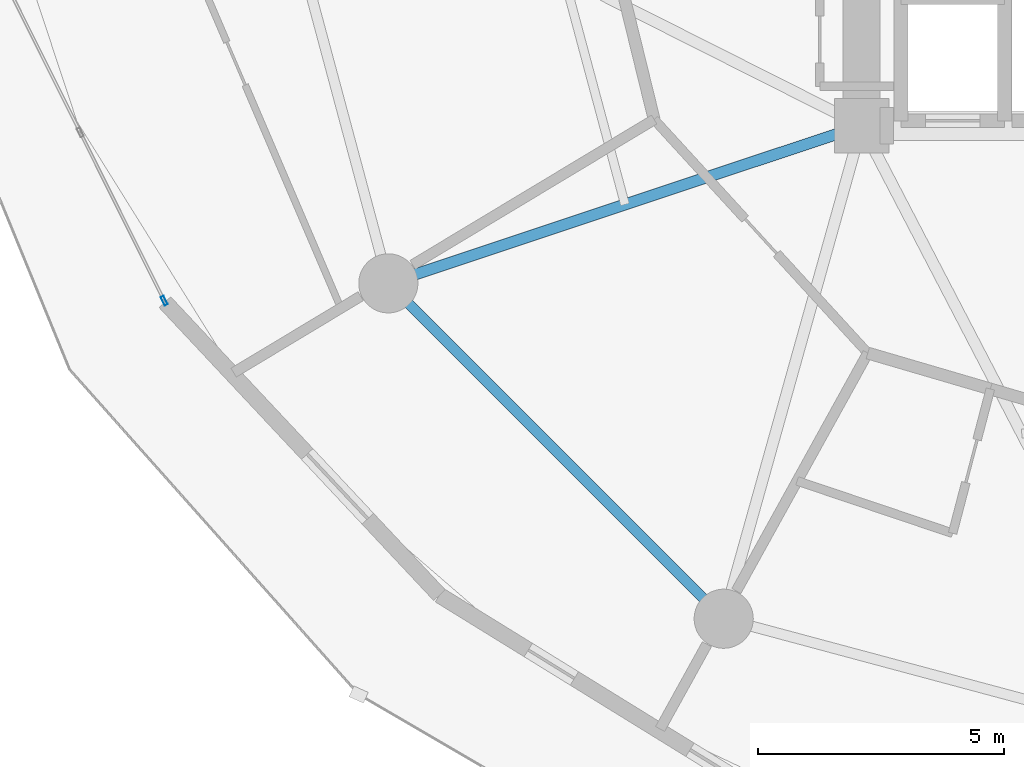
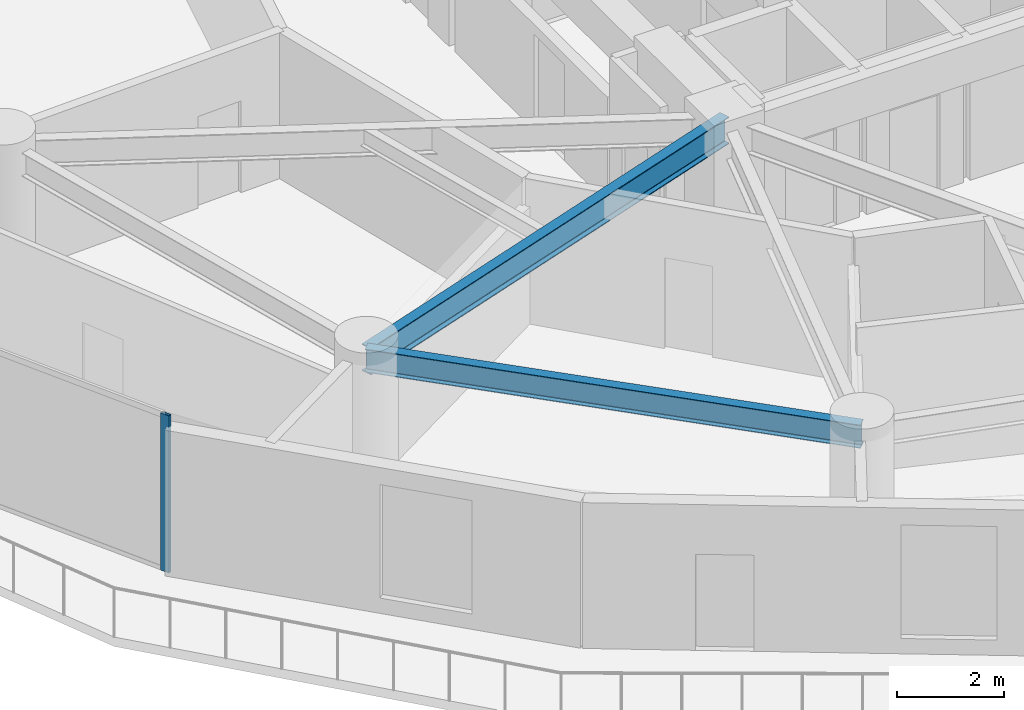
# One storey, part 2 of 24: 2 beams, 1 member, 1 element without a shape of its own.
"""IFC4 building model written with IfcOpenShell, lengths in metres."""

from ifc_helpers import new_model, si_unit, direction, frame, origin, origin_2d, place, context, subcontext, project, spatial, hollow_rectangle, i_section, extrude, source, transform, mapped, material, layer, layer_set, material_profile, profile_set, type_object, element, aggregate, save


model = new_model("IFC4")

# Units and contexts
model_context = context("Model", 3, precision=1e-05, world=origin(), true_north=direction((0.0, 1.0)))
body_context = subcontext(model_context, "Body", "Model", "MODEL_VIEW")
ifc_project = project(units=[si_unit("LENGTHUNIT", "METRE"), si_unit("AREAUNIT", "SQUARE_METRE"), si_unit("VOLUMEUNIT", "CUBIC_METRE"), si_unit("PLANEANGLEUNIT", "RADIAN"), si_unit("MASSUNIT", "GRAM", prefix="KILO")], contexts=[model_context])

# Site, building, storey
site_placement = place(None, origin())
site = spatial("IfcSite", under=ifc_project, at=site_placement, CompositionType="ELEMENT")
building_placement = place(site_placement, origin())
building = spatial("IfcBuilding", under=site, at=building_placement, Name="Solvirekh Grand Hotel", CompositionType="ELEMENT")
storey_placement = place(building_placement, frame((0.0, 0.0, 86.0)))
storey = spatial("IfcBuildingStorey", under=building, at=storey_placement, Name="L21", CompositionType="ELEMENT", Elevation=86.0)

# Beams
ifc_material_1 = material(Name="Steel S355", Category="steel")
ifc_material_profile_1 = material_profile(ifc_material_1, i_section(OverallWidth=0.22802734375, OverallDepth=0.616943359375, WebThickness=0.012939453125, FlangeThickness=0.02001953125, FilletRadius=0.014892578125, at=origin_2d()), Name="W610X140")
ifc_profile_set_1 = profile_set([ifc_material_profile_1], Name="Steel S355")
beam_type_1 = type_object("IfcBeamType", Name="Beam_Radial_W610", PredefinedType="BEAM", material=ifc_profile_set_1)
beam_1_placement = place(storey_placement, frame((-6.5, -6.10009765625, 3.031982421875), z_axis=(-0.948762825819, -0.315989082635, 0.0), x_axis=(0.315989082635, -0.948762825819, 0.0)))
element("IfcBeam", 1, at=beam_1_placement, inside=storey, type_object=beam_type_1, Name="L21 radial floor beam R08", PredefinedType="BEAM", context=body_context, shape_type="SweptSolid", body=[
    extrude(i_section(OverallWidth=0.22802734375, OverallDepth=0.616943359375, WebThickness=0.012939453125, FlangeThickness=0.02001953125, FilletRadius=0.014892578125, at=origin_2d()), origin(), (0.0, 0.0, 1.0), 10.126708984375),
])
ifc_material_profile_2 = material_profile(ifc_material_1, i_section(OverallWidth=0.208984375, OverallDepth=0.532958984375, WebThickness=0.010009765625, FlangeThickness=0.014892578125, FilletRadius=0.013916015625, at=origin_2d()), Name="W530X92")
ifc_profile_set_2 = profile_set([ifc_material_profile_2], Name="Steel S355")
beam_type_2 = type_object("IfcBeamType", Name="Spandrel_Ring_W530", PredefinedType="SPANDREL", material=ifc_profile_set_2)
beam_2_placement = place(storey_placement, frame((-16.10791015625, -9.300048828125, 3.073974609375), z_axis=(0.707106781187, -0.707106781187, 0.0), x_axis=(0.707106781187, 0.707106781187, 0.0)))
element("IfcBeam", 2, at=beam_2_placement, inside=storey, type_object=beam_type_2, Name="L21 perimeter spandrel beam 8", PredefinedType="SPANDREL", context=body_context, shape_type="SweptSolid", body=[
    extrude(i_section(OverallWidth=0.208984375, OverallDepth=0.532958984375, WebThickness=0.010009765625, FlangeThickness=0.014892578125, FilletRadius=0.013916015625, at=origin_2d()), origin(), (0.0, 0.0, 1.0), 9.627685546875),
])

# Curtain wall, member
ifc_material_2 = material(Name="Anodized Bronze Aluminium 6063-T6", Category="aluminium")
ifc_layer = layer(ifc_material_2, 0.18994140625)
ifc_layer_set = layer_set([ifc_layer], Name="Anodized Bronze Aluminium 6063-T6")
curtain_wall_type = type_object("IfcCurtainWallType", Name="CW_Sys2_LowZoneFlushBronzeCW", PredefinedType="NOTDEFINED", material=ifc_layer_set)
curtain_wall_placement = place(storey_placement, origin())
curtain_wall = element("IfcCurtainWall", 3, at=curtain_wall_placement, inside=storey, type_object=curtain_wall_type, Name="L21 unitised bronze-glass curtain wall CW-L21-C13", PredefinedType="NOTDEFINED")
ifc_material_profile_3 = material_profile(ifc_material_2, hollow_rectangle(XDim=0.070068359375, YDim=0.18994140625, WallThickness=0.0048828125, at=origin_2d()), Name="ALU RHS 190X70X5")
ifc_profile_set_3 = profile_set([ifc_material_profile_3], Name="Anodized Bronze Aluminium 6063-T6")
member_type = type_object("IfcMemberType", Name="CWMullion_Sys2", PredefinedType="MULLION", material=ifc_profile_set_3)
shared_shape = source(origin(), body_context, "Body", "SweptSolid", [
    extrude(hollow_rectangle(XDim=0.070068359375, YDim=0.18994140625, WallThickness=0.0048828125, at=origin_2d()), origin(), (0.0, 0.0, 1.0), 3.60009765625),
])
member_placement = place(storey_placement, frame((-20.65771484375, -9.651611328125, 0.0), z_axis=(0.0, 0.0, 1.0), x_axis=(0.89486802482, 0.44633083935, 0.0)))
member = element("IfcMember", 4, at=member_placement, type_object=member_type, Name="U02 mullion 3", PredefinedType="MULLION", context=body_context, shape_type="MappedRepresentation", body=[
    mapped(shared_shape, transform((0.0, 0.0, 0.0), x_axis=(1.0, 0.0, 0.0), y_axis=(0.0, 1.0, 0.0), z_axis=(0.0, 0.0, 1.0), scale=1.0)),
])
aggregate(curtain_wall, [member])

save(model, "model.ifc")
